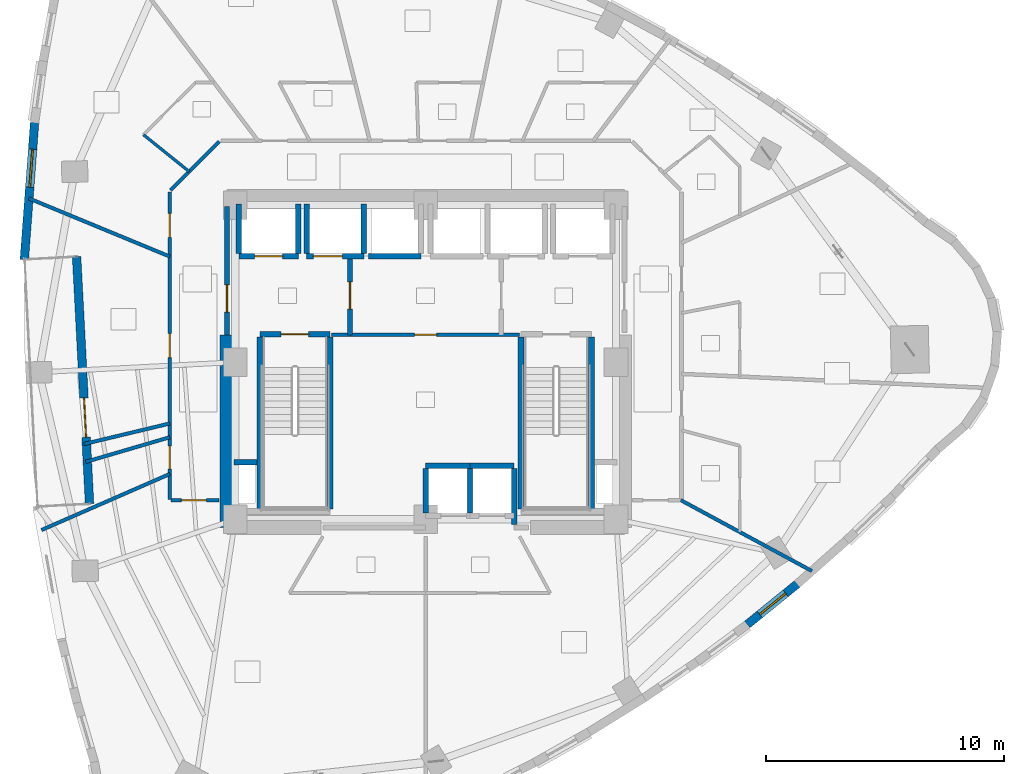
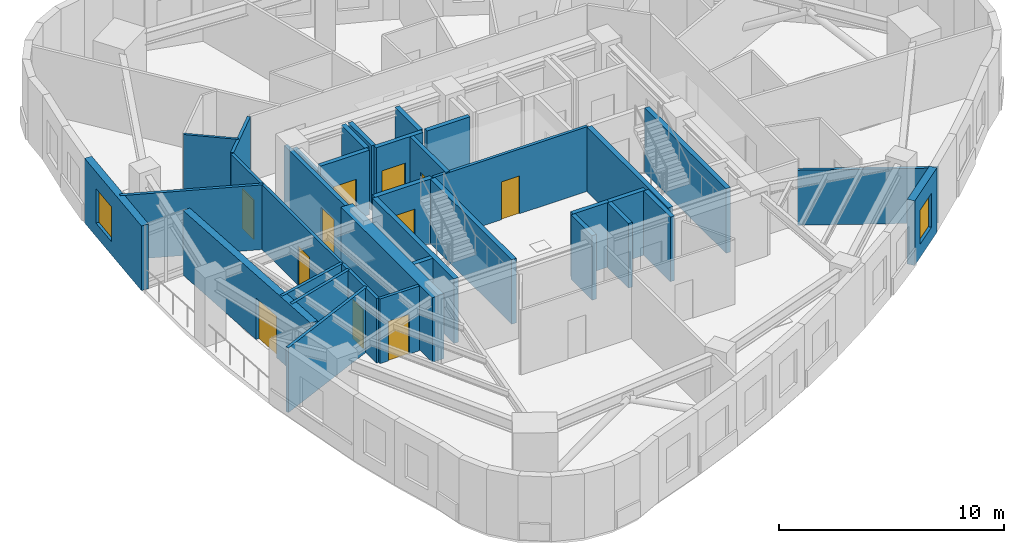
# One storey, part 7 of 13: 34 walls, 11 doors, 2 windows, 13 openings.
"""IFC4 building model written with IfcOpenShell, lengths in metres."""

import ifcopenshell
import ifcopenshell.guid

model = None  # the IFC model being written
_history = None  # IfcOwnerHistory: only IFC2X3 demands one
_inside = {}  # id of a spatial element -> (the spatial element, [elements in it])
_under = {}  # id of a project, library or spatial element -> (it, [spatial elements below it])
_declared = {}  # id of a project -> (the project, [libraries it declares])
_typed = {}  # id of a type object -> (the type object, [elements of that type])
_made_of = {}  # id of a material, layer set ... -> (it, [elements and type objects made of it])


def new_model(schema):
    """Start an empty IFC model of exactly this schema.

    Asked for "IFC4X3", IfcOpenShell would pick the latest addendum, in which some entities
    have other attributes; the version numbers below select the first issue.
    IFC2X3 requires an IfcOwnerHistory on every rooted entity: one is made here for all.
    """
    global model, _history
    if schema == "IFC4X3":
        model = ifcopenshell.file(schema_version=(4, 3, 0, 0))
    else:
        model = ifcopenshell.file(schema=schema)
    _inside.clear()
    _under.clear()
    _declared.clear()
    _typed.clear()
    _made_of.clear()
    _history = None
    if model.schema == "IFC2X3":
        org = make("IfcOrganization", Name="unknown")
        user = make(
            "IfcPersonAndOrganization",
            ThePerson=make("IfcPerson", FamilyName="unknown"),
            TheOrganization=org,
        )
        app = make(
            "IfcApplication",
            ApplicationDeveloper=org,
            Version="unknown",
            ApplicationFullName="unknown",
            ApplicationIdentifier="unknown",
        )
        _history = make(
            "IfcOwnerHistory",
            OwningUser=user,
            OwningApplication=app,
            ChangeAction="ADDED",
            CreationDate=0,
        )
    return model


def make(cls, **values):
    """One entity of the class cls with the attributes given. An attribute that is None is left unset."""
    return model.create_entity(
        cls, **{name: value for name, value in values.items() if value is not None}
    )


def rooted(cls, **values):
    """An entity with a GlobalId (a new one), such as an element, a storey or a relation."""
    return make(cls, GlobalId=ifcopenshell.guid.new(), OwnerHistory=_history, **values)


def si_unit(unit_type, name, prefix=None):
    """IfcSIUnit, for example si_unit("LENGTHUNIT", "METRE", prefix="MILLI")."""
    return make("IfcSIUnit", UnitType=unit_type, Prefix=prefix, Name=name)


def assignment(units):
    """IfcUnitAssignment: the units of a project."""
    return None if units is None else make("IfcUnitAssignment", Units=units)


def point(xyz):
    """IfcCartesianPoint."""
    return None if xyz is None else make("IfcCartesianPoint", Coordinates=xyz)


def direction(xyz):
    """IfcDirection."""
    return None if xyz is None else make("IfcDirection", DirectionRatios=xyz)


def frame(location, z_axis=None, x_axis=None):
    """IfcAxis2Placement3D, a coordinate frame: its origin and axes. An axis left out is left unset."""
    return make(
        "IfcAxis2Placement3D",
        Location=point(location),
        Axis=direction(z_axis),
        RefDirection=direction(x_axis),
    )


def frame_2d(location, x_axis=None):
    """IfcAxis2Placement2D, a coordinate frame in the plane: its origin and x axis."""
    return make(
        "IfcAxis2Placement2D", Location=point(location), RefDirection=direction(x_axis)
    )


def origin():
    """The frame at (0, 0, 0) with its axes left unset."""
    return frame((0.0, 0.0, 0.0))


def place(relative_to, where):
    """IfcLocalPlacement: puts the frame where relative to a parent placement (None: the world)."""
    return make(
        "IfcLocalPlacement", PlacementRelTo=relative_to, RelativePlacement=where
    )


def context(
    kind, dimensions, precision=None, world=None, true_north=None, identifier=None
):
    """IfcGeometricRepresentationContext, for example the 3D "Model" context."""
    return make(
        "IfcGeometricRepresentationContext",
        ContextIdentifier=identifier,
        ContextType=kind,
        CoordinateSpaceDimension=dimensions,
        Precision=precision,
        WorldCoordinateSystem=world,
        TrueNorth=true_north,
    )


def subcontext(parent, identifier, kind, view, scale=None):
    """IfcGeometricRepresentationSubContext, for example "Body" below "Model"."""
    return make(
        "IfcGeometricRepresentationSubContext",
        ContextIdentifier=identifier,
        ContextType=kind,
        ParentContext=parent,
        TargetScale=scale,
        TargetView=view,
    )


def project(units=None, contexts=None):
    """IfcProject with its units and contexts."""
    return rooted(
        "IfcProject",
        Name="project",
        RepresentationContexts=contexts,
        UnitsInContext=assignment(units),
    )


def spatial(cls, under=None, at=None, **own):
    """A site, building, storey or space (cls), placed at a placement, below another one or the project."""
    s = rooted(cls, ObjectPlacement=at, **own)
    if under is not None:
        _under.setdefault(under.id(), (under, []))[1].append(s)
    return s


def profile(cls, at=None, kind="AREA", **sizes):
    """A parametric profile (cls). Its sizes go by their IFC names, for example OverallWidth=200.0."""
    return make(cls, ProfileType=kind, Position=at, **sizes)


def rectangle(**sizes):
    """IfcRectangleProfileDef."""
    return profile("IfcRectangleProfileDef", **sizes)


def extrude(swept, where, along, depth):
    """IfcExtrudedAreaSolid: the profile swept, set in the frame where, extruded along a direction by depth."""
    return make(
        "IfcExtrudedAreaSolid",
        SweptArea=swept,
        Position=where,
        ExtrudedDirection=direction(along),
        Depth=depth,
    )


def shape(context_of_items, identifier, shape_type, items):
    """IfcShapeRepresentation: the items that make up one representation, for example the "Body"."""
    return make(
        "IfcShapeRepresentation",
        ContextOfItems=context_of_items,
        RepresentationIdentifier=identifier,
        RepresentationType=shape_type,
        Items=items,
    )


def material(Name=None, Category=None):
    """IfcMaterial."""
    return make("IfcMaterial", Name=Name, Category=Category)


def layer(
    of_material, thickness, ventilated=None, Name=None, Category=None, Priority=None
):
    """IfcMaterialLayer: one layer of a wall or slab, of a material (None: an air gap)."""
    return make(
        "IfcMaterialLayer",
        Material=of_material,
        LayerThickness=thickness,
        IsVentilated=ventilated,
        Name=Name,
        Category=Category,
        Priority=Priority,
    )


def layer_set(layers, Name=None):
    """IfcMaterialLayerSet."""
    return make("IfcMaterialLayerSet", MaterialLayers=layers, LayerSetName=Name)


def made_of(thing, what):
    """Note that an element or type object is made of a material, layer set ...; save() writes the relation."""
    if what is not None:
        _made_of.setdefault(what.id(), (what, []))[1].append(thing)
    return thing


def type_object(cls, material=None, **own):
    """A type object (cls), such as IfcWallType, which elements share."""
    return made_of(rooted(cls, **own), material)


def element(
    cls,
    number,
    at=None,
    inside=None,
    cuts=None,
    type_object=None,
    material=None,
    context=None,
    identifier="Body",
    shape_type=None,
    held_by="IfcProductDefinitionShape",
    body=None,
    shapes=None,
    **own,
):
    """One element of the class cls, such as IfcWall. Its Tag is "e" and its number.

    at: its placement. inside: the storey or other place that contains it. cuts: it is an
    opening in that element (IfcRelVoidsElement). A single representation is given by context,
    identifier, shape_type and body (its items); several are given by shapes. held_by: the class
    of the entity that holds the representations. save() writes the other relations.
    """
    e = rooted(cls, Tag="e%d" % number, ObjectPlacement=at, **own)
    if body is not None:
        shapes = [shape(context, identifier, shape_type, body)]
    if shapes is not None:
        e.Representation = make(held_by, Representations=shapes)
    if inside is not None:
        _inside.setdefault(inside.id(), (inside, []))[1].append(e)
    if cuts is not None:
        rooted(
            "IfcRelVoidsElement", RelatingBuildingElement=cuts, RelatedOpeningElement=e
        )
    if type_object is not None:
        _typed.setdefault(type_object.id(), (type_object, []))[1].append(e)
    return made_of(e, material)


def fill(opening, filler):
    """IfcRelFillsElement: the door or window that sits in an opening."""
    return rooted(
        "IfcRelFillsElement",
        RelatingOpeningElement=opening,
        RelatedBuildingElement=filler,
    )


def aggregate(whole, parts):
    """IfcRelAggregates: a whole, such as a stair, and the parts it consists of."""
    return rooted("IfcRelAggregates", RelatingObject=whole, RelatedObjects=parts)


def save(model, path):
    """Write the relations noted so far, then the file.

    IfcRelAggregates (storeys below a building ...), IfcRelContainedInSpatialStructure (elements
    in a storey), IfcRelDefinesByType, IfcRelAssociatesMaterial and IfcRelDeclares: one each for
    every whole, place, type object, material and project.
    """
    for whole, parts in _under.values():
        aggregate(whole, parts)
    for where, things in _inside.values():
        rooted(
            "IfcRelContainedInSpatialStructure",
            RelatedElements=things,
            RelatingStructure=where,
        )
    for kind, things in _typed.values():
        rooted("IfcRelDefinesByType", RelatedObjects=things, RelatingType=kind)
    for what, things in _made_of.values():
        rooted("IfcRelAssociatesMaterial", RelatedObjects=things, RelatingMaterial=what)
    for by, libraries in _declared.values():
        rooted("IfcRelDeclares", RelatingContext=by, RelatedDefinitions=libraries)
    model.write(path)


model = new_model("IFC4")

# Units and contexts
model_context = context("Model", 3, precision=1e-05, world=origin(), true_north=direction((0.0, 1.0)))
body_context = subcontext(model_context, "Body", "Model", "MODEL_VIEW")
ifc_project = project(units=[si_unit("LENGTHUNIT", "METRE"), si_unit("AREAUNIT", "SQUARE_METRE"), si_unit("VOLUMEUNIT", "CUBIC_METRE"), si_unit("PLANEANGLEUNIT", "RADIAN"), si_unit("MASSUNIT", "GRAM", prefix="KILO")], contexts=[model_context])

# Site, building, storey
site_placement = place(None, origin())
site = spatial("IfcSite", under=ifc_project, at=site_placement, CompositionType="ELEMENT")
building_placement = place(site_placement, origin())
building = spatial("IfcBuilding", under=site, at=building_placement, Name="Ndelora Gate Hotel", CompositionType="ELEMENT")
storey_placement = place(building_placement, frame((0.0, 0.0, 134.75)))
storey = spatial("IfcBuildingStorey", under=building, at=storey_placement, Name="L33", CompositionType="ELEMENT", Elevation=134.75)

# Wall, opening, door
ifc_material_1 = material(Name="Clay Brick Masonry", Category="masonry")
ifc_layer_1 = layer(ifc_material_1, 0.360107421875)
ifc_layer_set_1 = layer_set([ifc_layer_1], Name="Clay Brick Masonry")
wall_type_1 = type_object("IfcWallType", Name="WL-BRICK-360", PredefinedType="SOLIDWALL", material=ifc_layer_set_1)
wall_1_placement = place(storey_placement, frame((-14.123779296875, -5.947265625, 0.0), z_axis=(0.0, 0.0, 1.0), x_axis=(-0.052325961458, 0.998630058509, 0.0)))
wall_1 = element("IfcWall", 1, at=wall_1_placement, inside=storey, type_object=wall_type_1, Name="L33 Sky-Garden Loggia Rear Brick Wall", PredefinedType="SOLIDWALL", context=body_context, shape_type="SweptSolid", body=[
    extrude(rectangle(XDim=10.39990234375, YDim=0.360107421875, at=frame_2d((5.199951171875, 0.0))), origin(), (0.0, 0.0, 1.0), 3.5),
])
opening_1_placement = place(wall_1_placement, frame((2.800048828125, 0.0, 0.0)))
opening_1 = element("IfcOpeningElement", 2, at=opening_1_placement, cuts=wall_1, Name="Opening TD1", PredefinedType="OPENING", context=body_context, shape_type="SweptSolid", body=[
    extrude(rectangle(XDim=1.64990234375, YDim=2.25, at=frame_2d((0.824951171875, 1.125))), frame((0.0, 0.18994140625, 0.0), z_axis=(0.0, -1.0, 0.0), x_axis=(1.0, 0.0, 0.0)), (0.0, 0.0, 1.0), 0.380126953125),
])
ifc_material_2 = material(Name="Architectural Bronze Glazed Door", Category="metal")
door_type_1 = type_object("IfcDoorType", Name="DR-TER-1650", OperationType="DOUBLE_DOOR_SINGLE_SWING", PredefinedType="DOOR", material=ifc_material_2)
door_1_placement = place(opening_1_placement, origin())
door_1 = element("IfcDoor", 3, at=door_1_placement, inside=storey, type_object=door_type_1, Name="L33 Sky-Garden Terrace Double Door TD1", OperationType="DOUBLE_DOOR_SINGLE_SWING", OverallHeight=2.25, OverallWidth=1.64990234375, PredefinedType="DOOR", context=body_context, shape_type="SweptSolid", body=[
    extrude(rectangle(XDim=1.64990234375, YDim=2.25, at=frame_2d((0.824951171875, 1.125))), frame((0.0, 0.02490234375, 0.0), z_axis=(0.0, -1.0, 0.0), x_axis=(1.0, 0.0, 0.0)), (0.0, 0.0, 1.0), 0.050048828125),
])
fill(opening_1, door_1)

# Wall, opening, window
wall_2_placement = place(storey_placement, frame((-16.866943359375, 4.29833984375, 0.0), z_axis=(0.0, 0.0, 1.0), x_axis=(0.074873276991, 0.997193056731, 0.0)))
wall_2 = element("IfcWall", 4, at=wall_2_placement, inside=storey, type_object=wall_type_1, Name="L33 Tower Brick Pier-and-Spandrel Wall TWR-11", PredefinedType="SOLIDWALL", context=body_context, shape_type="SweptSolid", body=[
    extrude(rectangle(XDim=5.826904296875, YDim=0.360107421875, at=frame_2d((2.91357421875, 0.0))), origin(), (0.0, 0.0, 1.0), 3.5),
])
opening_2_placement = place(wall_2_placement, frame((3.06005859375, 0.0, 0.719970703125)))
opening_2 = element("IfcOpeningElement", 5, at=opening_2_placement, cuts=wall_2, Name="Opening W01", PredefinedType="OPENING", context=body_context, shape_type="SweptSolid", body=[
    extrude(rectangle(XDim=1.60009765625, YDim=1.8798828125, at=frame_2d((0.800048828125, 0.93994140625))), frame((0.0, 0.18994140625, 0.0), z_axis=(0.0, -1.0, 0.0), x_axis=(1.0, 0.0, 0.0)), (0.0, 0.0, 1.0), 0.380126953125),
])
ifc_material_3 = material(Name="Insulated Low-E Double Glazing in Bronze Aluminium Frame", Category="aluminium")
window_type_1 = type_object("IfcWindowType", Name="WN-DEEP-1600", PartitioningType="SINGLE_PANEL", PredefinedType="WINDOW", material=ifc_material_3)
window_1_placement = place(opening_2_placement, origin())
window_1 = element("IfcWindow", 6, at=window_1_placement, inside=storey, type_object=window_type_1, Name="L33 Deep-Set Brick-Pier Window W01", OverallHeight=1.8798828125, OverallWidth=1.60009765625, PartitioningType="SINGLE_PANEL", PredefinedType="WINDOW", context=body_context, shape_type="SweptSolid", body=[
    extrude(rectangle(XDim=1.60009765625, YDim=1.8798828125, at=frame_2d((0.800048828125, 0.93994140625))), frame((0.0, 0.030029296875, 0.0), z_axis=(0.0, -1.0, 0.0), x_axis=(1.0, 0.0, 0.0)), (0.0, 0.0, 1.0), 0.06005859375),
])
fill(opening_2, window_1)

wall_3_placement = place(storey_placement, frame((15.64697265625, -9.292236328125, 0.0), z_axis=(0.0, 0.0, 1.0), x_axis=(-0.776448630517, -0.630180548866, 0.0)))
wall_3 = element("IfcWall", 7, at=wall_3_placement, inside=storey, type_object=wall_type_1, Name="L33 Tower Brick Pier-and-Spandrel Wall TWR-35", PredefinedType="SOLIDWALL", context=body_context, shape_type="SweptSolid", body=[
    extrude(rectangle(XDim=2.744140625, YDim=0.360107421875, at=frame_2d((1.3720703125, 0.0))), origin(), (0.0, 0.0, 1.0), 3.5),
])
opening_3_placement = place(wall_3_placement, frame((0.672119140625, 0.0, 0.719970703125)))
opening_3 = element("IfcOpeningElement", 8, at=opening_3_placement, cuts=wall_3, Name="Opening W02", PredefinedType="OPENING", context=body_context, shape_type="SweptSolid", body=[
    extrude(rectangle(XDim=1.39990234375, YDim=1.840087890625, at=frame_2d((0.699951171875, 0.919921875))), frame((0.0, 0.18994140625, 0.0), z_axis=(0.0, -1.0, 0.0), x_axis=(1.0, 0.0, 0.0)), (0.0, 0.0, 1.0), 0.380126953125),
])
window_type_2 = type_object("IfcWindowType", Name="WN-DEEP-1400", PartitioningType="SINGLE_PANEL", PredefinedType="WINDOW", material=ifc_material_3)
window_2_placement = place(opening_3_placement, origin())
window_2 = element("IfcWindow", 9, at=window_2_placement, inside=storey, type_object=window_type_2, Name="L33 Deep-Set Brick-Pier Window W02", OverallHeight=1.840087890625, OverallWidth=1.39990234375, PartitioningType="SINGLE_PANEL", PredefinedType="WINDOW", context=body_context, shape_type="SweptSolid", body=[
    extrude(rectangle(XDim=1.39990234375, YDim=1.840087890625, at=frame_2d((0.699951171875, 0.919921875))), frame((0.0, 0.030029296875, 0.0), z_axis=(0.0, -1.0, 0.0), x_axis=(1.0, 0.0, 0.0)), (0.0, 0.0, 1.0), 0.06005859375),
])
fill(opening_3, window_2)

# Wall
ifc_material_4 = material(Name="Concrete C60/75", Category="concrete")
ifc_layer_2 = layer(ifc_material_4, 0.60009765625)
ifc_layer_set_2 = layer_set([ifc_layer_2], Name="Concrete C60/75")
wall_type_2 = type_object("IfcWallType", Name="WL-CORE-600", PredefinedType="SHEAR", material=ifc_layer_set_2)
wall_4_placement = place(storey_placement, frame((-8.35009765625, -6.949951171875, 0.0), z_axis=(0.0, 0.0, 1.0), x_axis=(0.0, 1.0, 0.0)))
element("IfcWall", 10, at=wall_4_placement, inside=storey, type_object=wall_type_2, Name="L33 Core Shear Wall W", PredefinedType="SHEAR", context=body_context, shape_type="SweptSolid", body=[
    extrude(rectangle(XDim=8.099853515625, YDim=0.60009765625, at=frame_2d((4.0498046875, 0.0))), origin(), (0.0, 0.0, 1.0), 3.5),
])

# Wall, opening, door
ifc_material_5 = material(Name="Concrete C40/50", Category="concrete")
ifc_layer_3 = layer(ifc_material_5, 0.199951171875)
ifc_layer_set_3 = layer_set([ifc_layer_3], Name="Concrete C40/50")
wall_type_3 = type_object("IfcWallType", Name="WL-FIRE-200", PredefinedType="PARTITIONING", material=ifc_layer_set_3)
wall_5_placement = place(storey_placement, frame((-3.179931640625, 1.14990234375, 0.0), z_axis=(0.0, 0.0, 1.0), x_axis=(0.0, 1.0, 0.0)))
wall_5 = element("IfcWall", 11, at=wall_5_placement, inside=storey, type_object=wall_type_3, Name="L33 Interior Wall IW-2", PredefinedType="PARTITIONING", context=body_context, shape_type="SweptSolid", body=[
    extrude(rectangle(XDim=3.300048828125, YDim=0.199951171875, at=frame_2d((1.64990234375, 0.0))), origin(), (0.0, 0.0, 1.0), 3.5),
])
opening_4_placement = place(wall_5_placement, frame((1.080078125, 0.0, 0.0)))
opening_4 = element("IfcOpeningElement", 12, at=opening_4_placement, cuts=wall_5, Name="Opening FD1", PredefinedType="OPENING", context=body_context, shape_type="SweptSolid", body=[
    extrude(rectangle(XDim=1.14990234375, YDim=2.14990234375, at=frame_2d((0.574951171875, 1.074951171875))), frame((0.0, 0.10986328125, 0.0), z_axis=(0.0, -1.0, 0.0), x_axis=(1.0, 0.0, 0.0)), (0.0, 0.0, 1.0), 0.219970703125),
])
ifc_material_6 = material(Name="Fire-Rated Timber-Veneer Steel Core", Category="steel")
door_type_2 = type_object("IfcDoorType", Name="DR-FD60", OperationType="SINGLE_SWING_LEFT", PredefinedType="DOOR", material=ifc_material_6)
door_2_placement = place(opening_4_placement, origin())
door_2 = element("IfcDoor", 13, at=door_2_placement, inside=storey, type_object=door_type_2, Name="L33 Firefighting Lobby West Door", OperationType="SINGLE_SWING_RIGHT", OverallHeight=2.14990234375, OverallWidth=1.14990234375, PredefinedType="DOOR", context=body_context, shape_type="SweptSolid", body=[
    extrude(rectangle(XDim=1.14990234375, YDim=2.14990234375, at=frame_2d((0.574951171875, 1.074951171875))), frame((0.0, 0.02490234375, 0.0), z_axis=(0.0, -1.0, 0.0), x_axis=(1.0, 0.0, 0.0)), (0.0, 0.0, 1.0), 0.050048828125),
])
fill(opening_4, door_2)

wall_6_placement = place(storey_placement, frame((-8.35009765625, 1.14990234375, 0.0), z_axis=(0.0, 0.0, 1.0), x_axis=(0.0, 1.0, 0.0)))
wall_6 = element("IfcWall", 14, at=wall_6_placement, inside=storey, type_object=wall_type_3, Name="L33 Interior Wall IW-2", PredefinedType="PARTITIONING", context=body_context, shape_type="SweptSolid", body=[
    extrude(rectangle(XDim=5.400146484375, YDim=0.199951171875, at=frame_2d((2.7001953125, 0.0))), origin(), (0.0, 0.0, 1.0), 3.5),
])
opening_5_placement = place(wall_6_placement, frame((0.949951171875, 0.0, 0.0)))
opening_5 = element("IfcOpeningElement", 15, at=opening_5_placement, cuts=wall_6, Name="Opening FD1", PredefinedType="OPENING", context=body_context, shape_type="SweptSolid", body=[
    extrude(rectangle(XDim=1.14990234375, YDim=2.14990234375, at=frame_2d((0.574951171875, 1.074951171875))), frame((0.0, 0.10986328125, 0.0), z_axis=(0.0, -1.0, 0.0), x_axis=(1.0, 0.0, 0.0)), (0.0, 0.0, 1.0), 0.219970703125),
])
door_3_placement = place(opening_5_placement, origin())
door_3 = element("IfcDoor", 16, at=door_3_placement, inside=storey, type_object=door_type_2, Name="L33 Firefighting Lobby West Corridor Door", OperationType="SINGLE_SWING_LEFT", OverallHeight=2.14990234375, OverallWidth=1.14990234375, PredefinedType="DOOR", context=body_context, shape_type="SweptSolid", body=[
    extrude(rectangle(XDim=1.14990234375, YDim=2.14990234375, at=frame_2d((0.574951171875, 1.074951171875))), frame((0.0, 0.02490234375, 0.0), z_axis=(0.0, -1.0, 0.0), x_axis=(1.0, 0.0, 0.0)), (0.0, 0.0, 1.0), 0.050048828125),
])
fill(opening_5, door_3)

ifc_material_7 = material(Name="Fire-Rated Gypsum Stud Partition", Category="gypsum")
ifc_layer_4 = layer(ifc_material_7, 0.14990234375)
ifc_layer_set_4 = layer_set([ifc_layer_4], Name="Fire-Rated Gypsum Stud Partition")
wall_type_4 = type_object("IfcWallType", Name="WL-PART-150", PredefinedType="PARTITIONING", material=ifc_layer_set_4)
wall_7_placement = place(storey_placement, frame((3.949951171875, 1.14990234375, 0.0), z_axis=(0.0, 0.0, 1.0), x_axis=(-1.0, 0.0, 0.0)))
wall_7 = element("IfcWall", 17, at=wall_7_placement, inside=storey, type_object=wall_type_4, Name="L33 Interior Wall IW-5", PredefinedType="PARTITIONING", context=body_context, shape_type="SweptSolid", body=[
    extrude(rectangle(XDim=7.89990234375, YDim=0.14990234375, at=frame_2d((3.949951171875, 0.0))), origin(), (0.0, 0.0, 1.0), 3.5),
])
opening_6_placement = place(wall_7_placement, frame((3.489990234375, 0.0, 0.0)))
opening_6 = element("IfcOpeningElement", 18, at=opening_6_placement, cuts=wall_7, Name="Opening D04", PredefinedType="OPENING", context=body_context, shape_type="SweptSolid", body=[
    extrude(rectangle(XDim=0.919921875, YDim=2.050048828125, at=frame_2d((0.4599609375, 1.02490234375))), frame((0.0, 0.0849609375, 0.0), z_axis=(0.0, -1.0, 0.0), x_axis=(1.0, 0.0, 0.0)), (0.0, 0.0, 1.0), 0.169921875),
])
ifc_material_8 = material(Name="Painted Steel Core Service Door", Category="steel")
door_type_3 = type_object("IfcDoorType", Name="DR-SER-920", OperationType="SINGLE_SWING_LEFT", PredefinedType="DOOR", material=ifc_material_8)
door_4_placement = place(opening_6_placement, origin())
door_4 = element("IfcDoor", 19, at=door_4_placement, inside=storey, type_object=door_type_3, Name="L33 Core Electrical and Linen Service Store Door", OperationType="SINGLE_SWING_LEFT", OverallHeight=2.050048828125, OverallWidth=0.919921875, PredefinedType="DOOR", context=body_context, shape_type="SweptSolid", body=[
    extrude(rectangle(XDim=0.919921875, YDim=2.050048828125, at=frame_2d((0.4599609375, 1.02490234375))), frame((0.0, 0.02490234375, 0.0), z_axis=(0.0, -1.0, 0.0), x_axis=(1.0, 0.0, 0.0)), (0.0, 0.0, 1.0), 0.050048828125),
])
fill(opening_6, door_4)

wall_8_placement = place(storey_placement, frame((-8.68994140625, -5.800048828125, 0.0), z_axis=(0.0, 0.0, 1.0), x_axis=(-1.0, 0.0, 0.0)))
wall_8 = element("IfcWall", 20, at=wall_8_placement, inside=storey, type_object=wall_type_4, Name="L33 Interior Wall IW-5", PredefinedType="PARTITIONING", context=body_context, shape_type="SweptSolid", body=[
    extrude(rectangle(XDim=2.02001953125, YDim=0.14990234375, at=frame_2d((1.010009765625, 0.0))), origin(), (0.0, 0.0, 1.0), 3.5),
])
opening_7_placement = place(wall_8_placement, frame((0.52001953125, 0.0, 0.0)))
opening_7 = element("IfcOpeningElement", 21, at=opening_7_placement, cuts=wall_8, Name="Opening D07", PredefinedType="OPENING", context=body_context, shape_type="SweptSolid", body=[
    extrude(rectangle(XDim=1.06005859375, YDim=2.14990234375, at=frame_2d((0.530029296875, 1.074951171875))), frame((0.0, 0.0849609375, 0.0), z_axis=(0.0, -1.0, 0.0), x_axis=(1.0, 0.0, 0.0)), (0.0, 0.0, 1.0), 0.169921875),
])
ifc_material_9 = material(Name="Diplomatic Suite Acoustic Entrance Door", Category="wood")
door_type_4 = type_object("IfcDoorType", Name="DR-SUITE-1060", OperationType="SINGLE_SWING_LEFT", PredefinedType="DOOR", material=ifc_material_9)
door_5_placement = place(opening_7_placement, origin())
door_5 = element("IfcDoor", 22, at=door_5_placement, inside=storey, type_object=door_type_4, Name="L33 Club Twin Corner Suite 3601 Entrance Door", OperationType="SINGLE_SWING_RIGHT", OverallHeight=2.14990234375, OverallWidth=1.06005859375, PredefinedType="DOOR", context=body_context, shape_type="SweptSolid", body=[
    extrude(rectangle(XDim=1.06005859375, YDim=2.14990234375, at=frame_2d((0.530029296875, 1.074951171875))), frame((0.0, 0.02490234375, 0.0), z_axis=(0.0, -1.0, 0.0), x_axis=(1.0, 0.0, 0.0)), (0.0, 0.0, 1.0), 0.050048828125),
])
fill(opening_7, door_5)

# Wall
wall_9_placement = place(storey_placement, frame((-10.7216796875, 7.228271484375, 0.0), z_axis=(0.0, 0.0, 1.0), x_axis=(0.707106781187, 0.707106781187, 0.0)))
element("IfcWall", 23, at=wall_9_placement, inside=storey, type_object=wall_type_4, Name="L33 Interior Wall IW-5", PredefinedType="PARTITIONING", context=body_context, shape_type="SweptSolid", body=[
    extrude(rectangle(XDim=2.889892578125, YDim=0.14990234375, at=frame_2d((1.44482421875, 0.0))), origin(), (0.0, 0.0, 1.0), 3.5),
])

# Wall, openings, doors
wall_10_placement = place(storey_placement, frame((-10.75, -5.760009765625, 0.0), z_axis=(0.0, 0.0, 1.0), x_axis=(0.0, 1.0, 0.0)))
wall_10 = element("IfcWall", 24, at=wall_10_placement, inside=storey, type_object=wall_type_4, Name="L33 Interior Wall IW-5", PredefinedType="PARTITIONING", context=body_context, shape_type="SweptSolid", body=[
    extrude(rectangle(XDim=12.919921875, YDim=0.14990234375, at=frame_2d((6.4599609375, 0.0))), origin(), (0.0, 0.0, 1.0), 3.5),
])
opening_8_placement = place(wall_10_placement, frame((1.280029296875, 0.0, 0.0)))
opening_8 = element("IfcOpeningElement", 25, at=opening_8_placement, cuts=wall_10, Name="Opening D05", PredefinedType="OPENING", context=body_context, shape_type="SweptSolid", body=[
    extrude(rectangle(XDim=0.949951171875, YDim=2.10009765625, at=frame_2d((0.47509765625, 1.050048828125))), frame((0.0, 0.0849609375, 0.0), z_axis=(0.0, -1.0, 0.0), x_axis=(1.0, 0.0, 0.0)), (0.0, 0.0, 1.0), 0.169921875),
])
opening_9_placement = place(wall_10_placement, frame((5.95556640625, 0.0, 0.0)))
opening_9 = element("IfcOpeningElement", 26, at=opening_9_placement, cuts=wall_10, Name="Opening D01", PredefinedType="OPENING", context=body_context, shape_type="SweptSolid", body=[
    extrude(rectangle(XDim=1.0, YDim=2.14990234375, at=frame_2d((0.5, 1.074951171875))), frame((0.0, 0.0849609375, 0.0), z_axis=(0.0, -1.0, 0.0), x_axis=(1.0, 0.0, 0.0)), (0.0, 0.0, 1.0), 0.169921875),
])
opening_10_placement = place(wall_10_placement, frame((11.0087890625, 0.0, 0.0)))
opening_10 = element("IfcOpeningElement", 27, at=opening_10_placement, cuts=wall_10, Name="Opening D01", PredefinedType="OPENING", context=body_context, shape_type="SweptSolid", body=[
    extrude(rectangle(XDim=1.0, YDim=2.14990234375, at=frame_2d((0.5, 1.074951171875))), frame((0.0, 0.0849609375, 0.0), z_axis=(0.0, -1.0, 0.0), x_axis=(1.0, 0.0, 0.0)), (0.0, 0.0, 1.0), 0.169921875),
])
ifc_material_10 = material(Name="Accessible Restroom Wide-Clearance Door", Category="wood")
door_type_5 = type_object("IfcDoorType", Name="DR-ACC-950", OperationType="SINGLE_SWING_LEFT", PredefinedType="DOOR", material=ifc_material_10)
door_6_placement = place(opening_8_placement, origin())
door_6 = element("IfcDoor", 28, at=door_6_placement, inside=storey, type_object=door_type_5, Name="L33 Accessible WC Entrance Door", OperationType="SINGLE_SWING_RIGHT", OverallHeight=2.10009765625, OverallWidth=0.949951171875, PredefinedType="DOOR", context=body_context, shape_type="SweptSolid", body=[
    extrude(rectangle(XDim=0.949951171875, YDim=2.10009765625, at=frame_2d((0.47509765625, 1.050048828125))), frame((0.0, 0.02490234375, 0.0), z_axis=(0.0, -1.0, 0.0), x_axis=(1.0, 0.0, 0.0)), (0.0, 0.0, 1.0), 0.050048828125),
])
fill(opening_8, door_6)
ifc_material_11 = material(Name="Acoustic Hardwood Guest Entrance Door", Category="wood")
door_type_6 = type_object("IfcDoorType", Name="DR-COR-1000", OperationType="SINGLE_SWING_LEFT", PredefinedType="DOOR", material=ifc_material_11)
door_7_placement = place(opening_9_placement, origin())
door_7 = element("IfcDoor", 29, at=door_7_placement, inside=storey, type_object=door_type_6, Name="L33 Sky Garden Tea Dining Room Entrance Door", OperationType="SINGLE_SWING_LEFT", OverallHeight=2.14990234375, OverallWidth=1.0, PredefinedType="DOOR", context=body_context, shape_type="SweptSolid", body=[
    extrude(rectangle(XDim=1.0, YDim=2.14990234375, at=frame_2d((0.5, 1.074951171875))), frame((0.0, 0.02490234375, 0.0), z_axis=(0.0, -1.0, 0.0), x_axis=(1.0, 0.0, 0.0)), (0.0, 0.0, 1.0), 0.050048828125),
])
fill(opening_9, door_7)
door_8_placement = place(opening_10_placement, origin())
door_8 = element("IfcDoor", 30, at=door_8_placement, inside=storey, type_object=door_type_6, Name="L33 Club Deluxe Guest Room 3609 Entrance Door", OperationType="SINGLE_SWING_RIGHT", OverallHeight=2.14990234375, OverallWidth=1.0, PredefinedType="DOOR", context=body_context, shape_type="SweptSolid", body=[
    extrude(rectangle(XDim=1.0, YDim=2.14990234375, at=frame_2d((0.5, 1.074951171875))), frame((0.0, 0.02490234375, 0.0), z_axis=(0.0, -1.0, 0.0), x_axis=(1.0, 0.0, 0.0)), (0.0, 0.0, 1.0), 0.050048828125),
])
fill(opening_10, door_8)

# Walls
wall_11_placement = place(storey_placement, frame((-10.75, -4.696533203125, 0.0), z_axis=(0.0, 0.0, 1.0), x_axis=(-0.916368645406, -0.400335491452, 0.0)))
element("IfcWall", 31, at=wall_11_placement, inside=storey, type_object=wall_type_4, Name="L33 Interior Wall IW-5", PredefinedType="PARTITIONING", context=body_context, shape_type="SweptSolid", body=[
    extrude(rectangle(XDim=5.883056640625, YDim=0.14990234375, at=frame_2d((2.94140625, 0.0))), origin(), (0.0, 0.0, 1.0), 3.5),
])
wall_12_placement = place(storey_placement, frame((10.726806640625, -5.800048828125, 0.0), z_axis=(0.0, 0.0, 1.0), x_axis=(0.879646503143, -0.475628036924, 0.0)))
element("IfcWall", 32, at=wall_12_placement, inside=storey, type_object=wall_type_4, Name="L33 Interior Wall IW-5", PredefinedType="PARTITIONING", context=body_context, shape_type="SweptSolid", body=[
    extrude(rectangle(XDim=6.256103515625, YDim=0.14990234375, at=frame_2d((3.1279296875, 0.0))), origin(), (0.0, 0.0, 1.0), 2.97998046875),
])
wall_13_placement = place(storey_placement, frame((-10.75, 4.437744140625, 0.0), z_axis=(0.0, 0.0, 1.0), x_axis=(-0.924334473985, 0.381583254615, 0.0)))
element("IfcWall", 33, at=wall_13_placement, inside=storey, type_object=wall_type_4, Name="L33 Interior Wall IW-5", PredefinedType="PARTITIONING", context=body_context, shape_type="SweptSolid", body=[
    extrude(rectangle(XDim=6.40771484375, YDim=0.14990234375, at=frame_2d((3.203857421875, 0.0))), origin(), (0.0, 0.0, 1.0), 3.5),
])
wall_14_placement = place(storey_placement, frame((-10.75, -3.15283203125, 0.0), z_axis=(0.0, 0.0, 1.0), x_axis=(-0.959579233132, -0.281438617362, 0.0)))
element("IfcWall", 34, at=wall_14_placement, inside=storey, type_object=wall_type_4, Name="L33 Interior Wall IW-5", PredefinedType="PARTITIONING", context=body_context, shape_type="SweptSolid", body=[
    extrude(rectangle(XDim=3.687744140625, YDim=0.14990234375, at=frame_2d((1.84375, 0.0))), origin(), (0.0, 0.0, 1.0), 3.5),
])
wall_15_placement = place(storey_placement, frame((-10.75, -2.575439453125, 0.0), z_axis=(0.0, 0.0, 1.0), x_axis=(-0.972472035097, -0.233019614958, 0.0)))
element("IfcWall", 35, at=wall_15_placement, inside=storey, type_object=wall_type_4, Name="L33 Interior Wall IW-5", PredefinedType="PARTITIONING", context=body_context, shape_type="SweptSolid", body=[
    extrude(rectangle(XDim=3.7109375, YDim=0.14990234375, at=frame_2d((1.85546875, 0.0))), origin(), (0.0, 0.0, 1.0), 3.5),
])
ifc_layer_5 = layer(ifc_material_5, 0.219970703125)
ifc_layer_set_5 = layer_set([ifc_layer_5], Name="Concrete C40/50")
wall_type_5 = type_object("IfcWallType", Name="WL-SHAFT-220", PredefinedType="PARTITIONING", material=ifc_layer_set_5)
wall_16_placement = place(storey_placement, frame((-8.050048828125, -4.199951171875, 0.0), z_axis=(0.0, 0.0, 1.0), x_axis=(1.0, 0.0, 0.0)))
element("IfcWall", 36, at=wall_16_placement, inside=storey, type_object=wall_type_5, Name="L33 Interior Wall IW-1", PredefinedType="PARTITIONING", context=body_context, shape_type="SweptSolid", body=[
    extrude(rectangle(XDim=0.9599609375, YDim=0.219970703125, at=frame_2d((0.47998046875, 0.0))), origin(), (0.0, 0.0, 1.0), 3.5),
])

# Wall, opening, door
wall_17_placement = place(storey_placement, frame((-7.85009765625, 4.449951171875, 0.0), z_axis=(0.0, 0.0, 1.0), x_axis=(1.0, 0.0, 0.0)))
wall_17 = element("IfcWall", 37, at=wall_17_placement, inside=storey, type_object=wall_type_5, Name="L33 Interior Wall IW-1", PredefinedType="PARTITIONING", context=body_context, shape_type="SweptSolid", body=[
    extrude(rectangle(XDim=2.5, YDim=0.219970703125, at=frame_2d((1.25, 0.0))), origin(), (0.0, 0.0, 1.0), 3.5),
])
opening_11_placement = place(wall_17_placement, frame((0.659912109375, 0.0, 0.0)))
opening_11 = element("IfcOpeningElement", 38, at=opening_11_placement, cuts=wall_17, Name="Opening LD5", PredefinedType="OPENING", context=body_context, shape_type="SweptSolid", body=[
    extrude(rectangle(XDim=1.179931640625, YDim=2.14990234375, at=frame_2d((0.58984375, 1.074951171875))), frame((0.0, 0.1201171875, 0.0), z_axis=(0.0, -1.0, 0.0), x_axis=(1.0, 0.0, 0.0)), (0.0, 0.0, 1.0), 0.239990234375),
])
ifc_material_12 = material(Name="Firefighting Lift Stainless Sliding Landing Door", Category="metal")
door_type_7 = type_object("IfcDoorType", Name="DR-LD5", OperationType="DOUBLE_DOOR_SLIDING", PredefinedType="DOOR", material=ifc_material_12)
door_9_placement = place(opening_11_placement, origin())
door_9 = element("IfcDoor", 39, at=door_9_placement, inside=storey, type_object=door_type_7, Name="L33 Lift Landing Sliding Door FFL1", OperationType="DOUBLE_DOOR_SLIDING", OverallHeight=2.14990234375, OverallWidth=1.179931640625, PredefinedType="DOOR", context=body_context, shape_type="SweptSolid", body=[
    extrude(rectangle(XDim=1.179931640625, YDim=2.14990234375, at=frame_2d((0.58984375, 1.074951171875))), frame((0.0, 0.02490234375, 0.0), z_axis=(0.0, -1.0, 0.0), x_axis=(1.0, 0.0, 0.0)), (0.0, 0.0, 1.0), 0.050048828125),
])
fill(opening_11, door_9)

# Walls
wall_18_placement = place(storey_placement, frame((-7.85009765625, 4.570068359375, 0.0), z_axis=(0.0, 0.0, 1.0), x_axis=(0.0, 1.0, 0.0)))
element("IfcWall", 40, at=wall_18_placement, inside=storey, type_object=wall_type_5, Name="L33 Interior Wall IW-1", PredefinedType="PARTITIONING", context=body_context, shape_type="SweptSolid", body=[
    extrude(rectangle(XDim=2.079833984375, YDim=0.219970703125, at=frame_2d((1.0400390625, 0.0))), origin(), (0.0, 0.0, 1.0), 3.1201171875),
])
wall_19_placement = place(storey_placement, frame((-5.35009765625, 4.570068359375, 0.0), z_axis=(0.0, 0.0, 1.0), x_axis=(0.0, 1.0, 0.0)))
element("IfcWall", 41, at=wall_19_placement, inside=storey, type_object=wall_type_5, Name="L33 Interior Wall IW-1", PredefinedType="PARTITIONING", context=body_context, shape_type="SweptSolid", body=[
    extrude(rectangle(XDim=2.079833984375, YDim=0.219970703125, at=frame_2d((1.0400390625, 0.0))), origin(), (0.0, 0.0, 1.0), 3.5),
])

# Wall, opening, door
wall_20_placement = place(storey_placement, frame((-5.0, 4.449951171875, 0.0), z_axis=(0.0, 0.0, 1.0), x_axis=(1.0, 0.0, 0.0)))
wall_20 = element("IfcWall", 42, at=wall_20_placement, inside=storey, type_object=wall_type_5, Name="L33 Interior Wall IW-1", PredefinedType="PARTITIONING", context=body_context, shape_type="SweptSolid", body=[
    extrude(rectangle(XDim=2.39990234375, YDim=0.219970703125, at=frame_2d((1.199951171875, 0.0))), origin(), (0.0, 0.0, 1.0), 3.5),
])
opening_12_placement = place(wall_20_placement, frame((0.280029296875, 0.0, 0.0)))
opening_12 = element("IfcOpeningElement", 43, at=opening_12_placement, cuts=wall_20, Name="Opening LD6", PredefinedType="OPENING", context=body_context, shape_type="SweptSolid", body=[
    extrude(rectangle(XDim=1.219970703125, YDim=2.14990234375, at=frame_2d((0.60986328125, 1.074951171875))), frame((0.0, 0.1201171875, 0.0), z_axis=(0.0, -1.0, 0.0), x_axis=(1.0, 0.0, 0.0)), (0.0, 0.0, 1.0), 0.239990234375),
])
ifc_material_13 = material(Name="Heavy-Duty Service Lift Sliding Landing Door", Category="wood")
door_type_8 = type_object("IfcDoorType", Name="DR-LD6", OperationType="DOUBLE_DOOR_SLIDING", PredefinedType="DOOR", material=ifc_material_13)
door_10_placement = place(opening_12_placement, origin())
door_10 = element("IfcDoor", 44, at=door_10_placement, inside=storey, type_object=door_type_8, Name="L33 Lift Landing Sliding Door SVL1", OperationType="DOUBLE_DOOR_SLIDING", OverallHeight=2.14990234375, OverallWidth=1.219970703125, PredefinedType="DOOR", context=body_context, shape_type="SweptSolid", body=[
    extrude(rectangle(XDim=1.219970703125, YDim=2.14990234375, at=frame_2d((0.60986328125, 1.074951171875))), frame((0.0, 0.02490234375, 0.0), z_axis=(0.0, -1.0, 0.0), x_axis=(1.0, 0.0, 0.0)), (0.0, 0.0, 1.0), 0.050048828125),
])
fill(opening_12, door_10)

# Walls
for number, where, z_axis, x_axis, name in (
    (45, (-5.0, 4.570068359375, 0.0), (0.0, 0.0, 1.0), (0.0, 1.0, 0.0), "L33 Interior Wall IW-1"),
    (46, (-2.60009765625, 4.570068359375, 0.0), (0.0, 0.0, 1.0), (0.0, 1.0, 0.0), "L33 Interior Wall IW-1"),
):
    element("IfcWall", number, at=place(storey_placement, frame(where, z_axis=z_axis, x_axis=x_axis)), inside=storey, type_object=wall_type_5, Name=name, PredefinedType="PARTITIONING", context=body_context, shape_type="SweptSolid", body=[
        extrude(rectangle(XDim=2.079833984375, YDim=0.219970703125, at=frame_2d((1.0400390625, 0.0))), origin(), (0.0, 0.0, 1.0), 3.5),
    ])
for number, where, z_axis, x_axis, name in (
    (47, (0.0, -4.35009765625, 0.0), (0.0, 0.0, 1.0), (1.0, 0.0, 0.0), "L33 Interior Wall IW-1"),
    (48, (0.0, -6.330078125, 0.0), (0.0, 0.0, 1.0), (0.0, 1.0, 0.0), "L33 Interior Wall IW-1"),
    (49, (1.860107421875, -6.330078125, 0.0), (0.0, 0.0, 1.0), (0.0, 1.0, 0.0), "L33 Interior Wall IW-1"),
):
    element("IfcWall", number, at=place(storey_placement, frame(where, z_axis=z_axis, x_axis=x_axis)), inside=storey, type_object=wall_type_5, Name=name, PredefinedType="PARTITIONING", context=body_context, shape_type="SweptSolid", body=[
        extrude(rectangle(XDim=1.860107421875, YDim=0.219970703125, at=frame_2d((0.93017578125, 0.0))), origin(), (0.0, 0.0, 1.0), 3.5),
    ])
wall_21_placement = place(storey_placement, frame((1.860107421875, -4.35009765625, 0.0), z_axis=(0.0, 0.0, 1.0), x_axis=(1.0, 0.0, 0.0)))
element("IfcWall", 50, at=wall_21_placement, inside=storey, type_object=wall_type_5, Name="L33 Interior Wall IW-1", PredefinedType="PARTITIONING", context=body_context, shape_type="SweptSolid", body=[
    extrude(rectangle(XDim=1.85986328125, YDim=0.219970703125, at=frame_2d((0.929931640625, 0.0))), origin(), (0.0, 0.0, 1.0), 3.5),
])
wall_22_placement = place(storey_placement, frame((3.719970703125, -6.830078125, 0.0), z_axis=(0.0, 0.0, 1.0), x_axis=(0.0, 1.0, 0.0)))
element("IfcWall", 51, at=wall_22_placement, inside=storey, type_object=wall_type_5, Name="L33 Interior Wall IW-1", PredefinedType="PARTITIONING", context=body_context, shape_type="SweptSolid", body=[
    extrude(rectangle(XDim=2.360107421875, YDim=0.219970703125, at=frame_2d((1.18017578125, 0.0))), origin(), (0.0, 0.0, 1.0), 3.5),
])
wall_23_placement = place(storey_placement, frame((-2.39990234375, 4.449951171875, 0.0), z_axis=(0.0, 0.0, 1.0), x_axis=(1.0, 0.0, 0.0)))
element("IfcWall", 52, at=wall_23_placement, inside=storey, type_object=wall_type_5, Name="L33 Interior Wall IW-1", PredefinedType="PARTITIONING", context=body_context, shape_type="SweptSolid", body=[
    extrude(rectangle(XDim=2.199951171875, YDim=0.219970703125, at=frame_2d((1.10009765625, 0.0))), origin(), (0.0, 0.0, 1.0), 3.5),
])
ifc_material_14 = material(Name="Concrete C50/60", Category="concrete")
ifc_layer_6 = layer(ifc_material_14, 0.239990234375)
ifc_layer_set_6 = layer_set([ifc_layer_6], Name="Concrete C50/60")
wall_type_6 = type_object("IfcWallType", Name="WL-STAIR-240", PredefinedType="SHEAR", material=ifc_layer_set_6)
for number, where, z_axis, x_axis, name in (
    (53, (-6.969970703125, -6.159912109375, 0.0), (0.0, 0.0, 1.0), (0.0, 1.0, 0.0), "L33 Stair Core Shear Wall SW-ST"),
    (54, (-4.010009765625, -6.159912109375, 0.0), (0.0, 0.0, 1.0), (0.0, 1.0, 0.0), "L33 Stair Core Shear Wall SW-ST"),
):
    element("IfcWall", number, at=place(storey_placement, frame(where, z_axis=z_axis, x_axis=x_axis)), inside=storey, type_object=wall_type_6, Name=name, PredefinedType="SHEAR", context=body_context, shape_type="SweptSolid", body=[
        extrude(rectangle(XDim=7.219970703125, YDim=0.239990234375, at=frame_2d((3.60986328125, 0.0))), origin(), (0.0, 0.0, 1.0), 3.5),
    ])

# Wall, opening, door
wall_24_placement = place(storey_placement, frame((-6.969970703125, 1.169921875, 0.0), z_axis=(0.0, 0.0, 1.0), x_axis=(1.0, 0.0, 0.0)))
wall_24 = element("IfcWall", 55, at=wall_24_placement, inside=storey, type_object=wall_type_6, Name="L33 Stair Core Shear Wall SW-ST", PredefinedType="SHEAR", context=body_context, shape_type="SweptSolid", body=[
    extrude(rectangle(XDim=2.9599609375, YDim=0.239990234375, at=frame_2d((1.47998046875, 0.0))), origin(), (0.0, 0.0, 1.0), 3.5),
])
opening_13_placement = place(wall_24_placement, frame((0.89990234375, 0.0, 0.0)))
opening_13 = element("IfcOpeningElement", 56, at=opening_13_placement, cuts=wall_24, Name="Opening FD1", PredefinedType="OPENING", context=body_context, shape_type="SweptSolid", body=[
    extrude(rectangle(XDim=1.14990234375, YDim=2.14990234375, at=frame_2d((0.574951171875, 1.074951171875))), frame((0.0, 0.1298828125, 0.0), z_axis=(0.0, -1.0, 0.0), x_axis=(1.0, 0.0, 0.0)), (0.0, 0.0, 1.0), 0.260009765625),
])
door_11_placement = place(opening_13_placement, origin())
door_11 = element("IfcDoor", 57, at=door_11_placement, inside=storey, type_object=door_type_2, Name="L33 Exit Stair ST4 Door", OperationType="SINGLE_SWING_LEFT", OverallHeight=2.14990234375, OverallWidth=1.14990234375, PredefinedType="DOOR", context=body_context, shape_type="SweptSolid", body=[
    extrude(rectangle(XDim=1.14990234375, YDim=2.14990234375, at=frame_2d((0.574951171875, 1.074951171875))), frame((0.0, 0.02490234375, 0.0), z_axis=(0.0, -1.0, 0.0), x_axis=(1.0, 0.0, 0.0)), (0.0, 0.0, 1.0), 0.050048828125),
])
fill(opening_13, door_11)

# Walls
for number, where, z_axis, x_axis, name in (
    (58, (4.010009765625, -6.159912109375, 0.0), (0.0, 0.0, 1.0), (0.0, 1.0, 0.0), "L33 Stair Core Shear Wall SW-ST"),
    (59, (6.969970703125, -6.159912109375, 0.0), (0.0, 0.0, 1.0), (0.0, 1.0, 0.0), "L33 Stair Core Shear Wall SW-ST"),
):
    element("IfcWall", number, at=place(storey_placement, frame(where, z_axis=z_axis, x_axis=x_axis)), inside=storey, type_object=wall_type_6, Name=name, PredefinedType="SHEAR", context=body_context, shape_type="SweptSolid", body=[
        extrude(rectangle(XDim=7.219970703125, YDim=0.239990234375, at=frame_2d((3.60986328125, 0.0))), origin(), (0.0, 0.0, 1.0), 3.5),
    ])
ifc_material_15 = material(Name="Moisture-Resistant Bathroom Tile Partition", Category="gypsum")
ifc_layer_7 = layer(ifc_material_15, 0.1201171875)
ifc_layer_set_7 = layer_set([ifc_layer_7], Name="Moisture-Resistant Bathroom Tile Partition")
wall_type_7 = type_object("IfcWallType", Name="WL-WET-120", PredefinedType="PARTITIONING", material=ifc_layer_set_7)
wall_25_placement = place(storey_placement, frame((-11.857421875, 9.5576171875, 0.0), z_axis=(0.0, 0.0, 1.0), x_axis=(0.778601964437, -0.627518112069, 0.0)))
element("IfcWall", 60, at=wall_25_placement, inside=storey, type_object=wall_type_7, Name="L33 Interior Wall IW-7", PredefinedType="PARTITIONING", context=body_context, shape_type="SweptSolid", body=[
    extrude(rectangle(XDim=2.46435546875, YDim=0.1201171875, at=frame_2d((1.232177734375, 0.0))), origin(), (0.0, 0.0, 1.0), 3.5),
])

save(model, "model.ifc")
